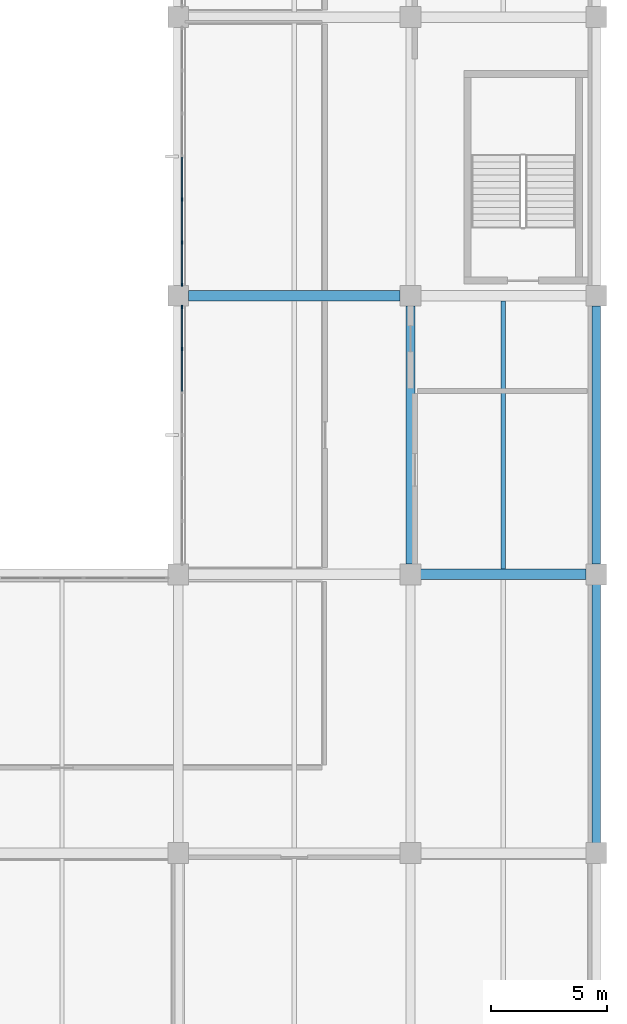
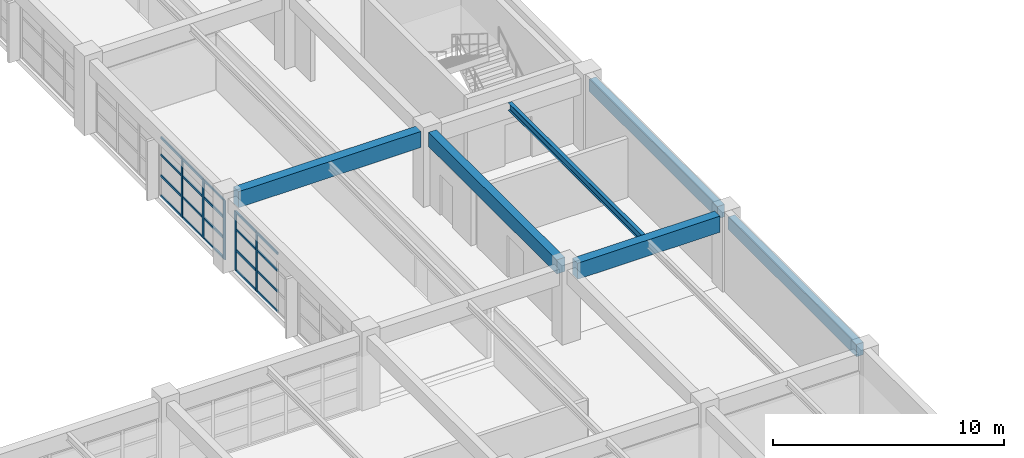
# One storey, part 55 of 100: 25 members, 6 beams, 2 elements without a shape of their own.
"""IFC4 building model written with IfcOpenShell, lengths in metres."""

from ifc_helpers import new_model, si_unit, direction, frame, origin, origin_2d, place, context, subcontext, project, spatial, rectangle, i_section, extrude, material, layer, layer_set, material_profile, profile_set, type_object, element, aggregate, save


model = new_model("IFC4")

# Units and contexts
model_context = context("Model", 3, precision=1e-05, world=origin(), true_north=direction((0.0, 1.0)))
body_context = subcontext(model_context, "Body", "Model", "MODEL_VIEW")
ifc_project = project(units=[si_unit("LENGTHUNIT", "METRE"), si_unit("AREAUNIT", "SQUARE_METRE"), si_unit("VOLUMEUNIT", "CUBIC_METRE"), si_unit("PLANEANGLEUNIT", "RADIAN"), si_unit("MASSUNIT", "GRAM", prefix="KILO")], contexts=[model_context])

# Site, building, storey
site_placement = place(None, origin())
site = spatial("IfcSite", under=ifc_project, at=site_placement, CompositionType="ELEMENT")
building_placement = place(site_placement, origin())
building = spatial("IfcBuilding", under=site, at=building_placement, Name="Kivolera Central Railway Station", CompositionType="ELEMENT")
storey_placement = place(building_placement, frame((0.0, 0.0, 5.39990234375)))
storey = spatial("IfcBuildingStorey", under=building, at=storey_placement, Name="L01", CompositionType="ELEMENT", Elevation=5.39990234375)

# Beams
ifc_material_1 = material(Name="Steel S355", Category="steel")
ifc_material_profile_1 = material_profile(ifc_material_1, i_section(OverallWidth=0.179931640625, OverallDepth=0.39990234375, WebThickness=0.008544921875, FlangeThickness=0.013427734375, FilletRadius=0.02099609375, at=origin_2d()), Name="IPE 400")
ifc_profile_set_1 = profile_set([ifc_material_profile_1], Name="Steel S355")
beam_type_1 = type_object("IfcBeamType", Name="BM-JST-IPE400", PredefinedType="JOIST", material=ifc_profile_set_1)
beam_1_placement = place(storey_placement, frame((192.0, 78.217041015625, 3.668212890625), z_axis=(0.0, 1.0, 0.0), x_axis=(-1.0, 0.0, 0.0)))
element("IfcBeam", 1, at=beam_1_placement, inside=storey, type_object=beam_type_1, Name="L01 Floor Joist 19-20/G-H", PredefinedType="JOIST", context=body_context, shape_type="SweptSolid", body=[
    extrude(i_section(OverallWidth=0.179931640625, OverallDepth=0.39990234375, WebThickness=0.008544921875, FlangeThickness=0.013427734375, FilletRadius=0.02099609375, at=origin_2d()), origin(), (0.0, 0.0, 1.0), 11.56591796875),
])
ifc_material_2 = material(Name="Concrete C40/50", Category="concrete")
ifc_material_profile_2 = material_profile(ifc_material_2, rectangle(XDim=0.39990234375, YDim=0.75, at=origin_2d()), Name="RC 400x750")
ifc_profile_set_2 = profile_set([ifc_material_profile_2], Name="Concrete C40/50")
beam_type_2 = type_object("IfcBeamType", Name="BM-RC-400x750", PredefinedType="BEAM", material=ifc_profile_set_2)
beam_2_placement = place(storey_placement, frame((188.0, 78.44189453125, 3.505126953125), z_axis=(0.0, 1.0, 0.0), x_axis=(-1.0, 0.0, 0.0)))
element("IfcBeam", 2, at=beam_2_placement, inside=storey, type_object=beam_type_2, Name="L01 Wing Y-Beam 19:G-H", PredefinedType="BEAM", context=body_context, shape_type="SweptSolid", body=[
    extrude(rectangle(XDim=0.39990234375, YDim=0.75, at=origin_2d()), origin(), (0.0, 0.0, 1.0), 11.1162109375),
])
ifc_material_profile_3 = material_profile(ifc_material_2, rectangle(XDim=0.449951171875, YDim=0.85009765625, at=origin_2d()), Name="RC 450x850")
ifc_profile_set_3 = profile_set([ifc_material_profile_3], Name="Concrete C40/50")
beam_type_3 = type_object("IfcBeamType", Name="BM-RC-450x850", PredefinedType="BEAM", material=ifc_profile_set_3)
beam_3_placement = place(storey_placement, frame((188.44189453125, 78.0, 3.455078125), z_axis=(1.0, 0.0, 0.0), x_axis=(0.0, 1.0, 0.0)))
element("IfcBeam", 3, at=beam_3_placement, inside=storey, type_object=beam_type_3, Name="L01 Wing X-Beam G:19-20", PredefinedType="BEAM", context=body_context, shape_type="SweptSolid", body=[
    extrude(rectangle(XDim=0.449951171875, YDim=0.85009765625, at=origin_2d()), origin(), (0.0, 0.0, 1.0), 7.1162109375),
])
beam_4_placement = place(storey_placement, frame((178.44189453125, 90.0, 3.455078125), z_axis=(1.0, 0.0, 0.0), x_axis=(0.0, 1.0, 0.0)))
element("IfcBeam", 4, at=beam_4_placement, inside=storey, type_object=beam_type_3, Name="L01 Wing X-Beam H:18-19", PredefinedType="BEAM", context=body_context, shape_type="SweptSolid", body=[
    extrude(rectangle(XDim=0.449951171875, YDim=0.85009765625, at=origin_2d()), origin(), (0.0, 0.0, 1.0), 9.1162109375),
])
ifc_material_profile_4 = material_profile(ifc_material_2, rectangle(XDim=0.35009765625, YDim=0.64990234375, at=origin_2d()), Name="RC 350x650")
ifc_profile_set_4 = profile_set([ifc_material_profile_4], Name="Concrete C40/50")
beam_type_4 = type_object("IfcBeamType", Name="BM-SPN-RC650", PredefinedType="SPANDREL", material=ifc_profile_set_4)
for number, where, z_axis, x_axis, name in (
    (5, (196.0, 66.44189453125, 3.55517578125), (0.0, 1.0, 0.0), (-1.0, 0.0, 0.0), "L01 Wing Y-Beam 20:F-G"),
    (6, (196.0, 78.44189453125, 3.55517578125), (0.0, 1.0, 0.0), (-1.0, 0.0, 0.0), "L01 Wing Y-Beam 20:G-H"),
):
    element("IfcBeam", number, at=place(storey_placement, frame(where, z_axis=z_axis, x_axis=x_axis)), inside=storey, type_object=beam_type_4, Name=name, PredefinedType="SPANDREL", context=body_context, shape_type="SweptSolid", body=[
        extrude(rectangle(XDim=0.35009765625, YDim=0.64990234375, at=origin_2d()), origin(), (0.0, 0.0, 1.0), 11.1162109375),
    ])

# Curtain wall, members
ifc_material_3 = material(Name="Anodised aluminium", Category="aluminium")
ifc_layer = layer(ifc_material_3, 0.179931640625, Name="Anodised aluminium")
ifc_layer_set = layer_set([ifc_layer], Name="Anodised aluminium")
curtain_wall_type = type_object("IfcCurtainWallType", Name="CW-SYS-25", PredefinedType="NOTDEFINED", material=ifc_layer_set)
curtain_wall_1_placement = place(storey_placement, origin())
curtain_wall_1 = element("IfcCurtainWall", 7, at=curtain_wall_1_placement, inside=storey, type_object=curtain_wall_type, Name="L01 Curtain Wall CW-L01-CRTE-G", PredefinedType="NOTDEFINED")
ifc_material_profile_5 = material_profile(ifc_material_3, rectangle(XDim=0.06005859375, YDim=0.14990234375, at=origin_2d()), Name="ALU MULL 60x150")
ifc_profile_set_5 = profile_set([ifc_material_profile_5], Name="Anodised aluminium")
member_type_1 = type_object("IfcMemberType", Name="CWM-MUL-2", PredefinedType="MULLION", material=ifc_profile_set_5)
member_1_placement = place(storey_placement, frame((178.159912109375, 87.703369140625, -0.0048828125), z_axis=(0.0, 0.0, 1.0), x_axis=(-1.0, 0.0, 0.0)))
member_1 = element("IfcMember", 8, at=member_1_placement, type_object=member_type_1, Name="CW-25 mullion 6", PredefinedType="MULLION", context=body_context, shape_type="SweptSolid", body=[
    extrude(rectangle(XDim=0.06005859375, YDim=0.14990234375, at=origin_2d()), origin(), (0.0, 0.0, 1.0), 3.123046875),
])
member_2_placement = place(storey_placement, frame((178.159912109375, 89.52490234375, -0.0048828125), z_axis=(0.0, 0.0, 1.0), x_axis=(-1.0, 0.0, 0.0)))
member_2 = element("IfcMember", 9, at=member_2_placement, type_object=member_type_1, Name="CW-25 mullion 7", PredefinedType="MULLION", context=body_context, shape_type="SweptSolid", body=[
    extrude(rectangle(XDim=0.06005859375, YDim=0.14990234375, at=origin_2d()), origin(), (0.0, 0.0, 1.0), 3.123046875),
])

curtain_wall_2_placement = place(storey_placement, origin())
curtain_wall_2 = element("IfcCurtainWall", 10, at=curtain_wall_2_placement, inside=storey, type_object=curtain_wall_type, Name="L01 Curtain Wall CW-L01-CRTE-H", PredefinedType="NOTDEFINED")
member_3_placement = place(storey_placement, frame((178.159912109375, 90.47509765625, -0.0048828125), z_axis=(0.0, 0.0, 1.0), x_axis=(-1.0, 0.0, 0.0)))
member_3 = element("IfcMember", 11, at=member_3_placement, type_object=member_type_1, Name="CW-25 mullion 1", PredefinedType="MULLION", context=body_context, shape_type="SweptSolid", body=[
    extrude(rectangle(XDim=0.06005859375, YDim=0.14990234375, at=origin_2d()), origin(), (0.0, 0.0, 1.0), 3.123046875),
])
member_4_placement = place(storey_placement, frame((178.159912109375, 92.296630859375, -0.0048828125), z_axis=(0.0, 0.0, 1.0), x_axis=(-1.0, 0.0, 0.0)))
member_4 = element("IfcMember", 12, at=member_4_placement, type_object=member_type_1, Name="CW-25 mullion 2", PredefinedType="MULLION", context=body_context, shape_type="SweptSolid", body=[
    extrude(rectangle(XDim=0.06005859375, YDim=0.14990234375, at=origin_2d()), origin(), (0.0, 0.0, 1.0), 3.123046875),
])
member_5_placement = place(storey_placement, frame((178.159912109375, 94.1484375, -0.0048828125), z_axis=(0.0, 0.0, 1.0), x_axis=(-1.0, 0.0, 0.0)))
member_5 = element("IfcMember", 13, at=member_5_placement, type_object=member_type_1, Name="CW-25 mullion 3", PredefinedType="MULLION", context=body_context, shape_type="SweptSolid", body=[
    extrude(rectangle(XDim=0.06005859375, YDim=0.14990234375, at=origin_2d()), origin(), (0.0, 0.0, 1.0), 3.123046875),
])

# Member
ifc_material_profile_6 = material_profile(ifc_material_3, rectangle(XDim=0.06005859375, YDim=0.1201171875, at=origin_2d()), Name="ALU TRAN 60x120")
ifc_profile_set_6 = profile_set([ifc_material_profile_6], Name="Anodised aluminium")
member_type_2 = type_object("IfcMemberType", Name="CWM-TRN-2", PredefinedType="USERDEFINED", material=ifc_profile_set_6)
member_6_placement = place(storey_placement, frame((178.159912109375, 85.881591796875, 0.030029296875), z_axis=(0.0, 1.0, 0.0), x_axis=(-1.0, 0.0, 0.0)))
member_6 = element("IfcMember", 14, at=member_6_placement, type_object=member_type_2, Name="CW-25 transom 5.1", ObjectType="TRANSOM", PredefinedType="USERDEFINED", context=body_context, shape_type="SweptSolid", body=[
    extrude(rectangle(XDim=0.06005859375, YDim=0.1201171875, at=origin_2d()), origin(), (0.0, 0.0, 1.0), 1.791748046875),
])

member_7_placement = place(storey_placement, frame((178.159912109375, 85.881591796875, 1.09130859375), z_axis=(0.0, 1.0, 0.0), x_axis=(-1.0, 0.0, 0.0)))
member_7 = element("IfcMember", 15, at=member_7_placement, type_object=member_type_2, Name="CW-25 transom 5.2", ObjectType="TRANSOM", PredefinedType="USERDEFINED", context=body_context, shape_type="SweptSolid", body=[
    extrude(rectangle(XDim=0.06005859375, YDim=0.1201171875, at=origin_2d()), origin(), (0.0, 0.0, 1.0), 1.791748046875),
])

member_8_placement = place(storey_placement, frame((178.159912109375, 85.881591796875, 2.1826171875), z_axis=(0.0, 1.0, 0.0), x_axis=(-1.0, 0.0, 0.0)))
member_8 = element("IfcMember", 16, at=member_8_placement, type_object=member_type_2, Name="CW-25 transom 5.3", ObjectType="TRANSOM", PredefinedType="USERDEFINED", context=body_context, shape_type="SweptSolid", body=[
    extrude(rectangle(XDim=0.06005859375, YDim=0.1201171875, at=origin_2d()), origin(), (0.0, 0.0, 1.0), 1.791748046875),
])

member_9_placement = place(storey_placement, frame((178.159912109375, 85.881591796875, 3.088134765625), z_axis=(0.0, 1.0, 0.0), x_axis=(-1.0, 0.0, 0.0)))
member_9 = element("IfcMember", 17, at=member_9_placement, type_object=member_type_2, Name="CW-25 transom 5.4", ObjectType="TRANSOM", PredefinedType="USERDEFINED", context=body_context, shape_type="SweptSolid", body=[
    extrude(rectangle(XDim=0.06005859375, YDim=0.1201171875, at=origin_2d()), origin(), (0.0, 0.0, 1.0), 1.791748046875),
])

member_10_placement = place(storey_placement, frame((178.159912109375, 87.7333984375, 0.030029296875), z_axis=(0.0, 1.0, 0.0), x_axis=(-1.0, 0.0, 0.0)))
member_10 = element("IfcMember", 18, at=member_10_placement, type_object=member_type_2, Name="CW-25 transom 6.1", ObjectType="TRANSOM", PredefinedType="USERDEFINED", context=body_context, shape_type="SweptSolid", body=[
    extrude(rectangle(XDim=0.06005859375, YDim=0.1201171875, at=origin_2d()), origin(), (0.0, 0.0, 1.0), 1.76171875),
])

member_11_placement = place(storey_placement, frame((178.159912109375, 87.7333984375, 1.09130859375), z_axis=(0.0, 1.0, 0.0), x_axis=(-1.0, 0.0, 0.0)))
member_11 = element("IfcMember", 19, at=member_11_placement, type_object=member_type_2, Name="CW-25 transom 6.2", ObjectType="TRANSOM", PredefinedType="USERDEFINED", context=body_context, shape_type="SweptSolid", body=[
    extrude(rectangle(XDim=0.06005859375, YDim=0.1201171875, at=origin_2d()), origin(), (0.0, 0.0, 1.0), 1.76171875),
])

member_12_placement = place(storey_placement, frame((178.159912109375, 87.7333984375, 2.1826171875), z_axis=(0.0, 1.0, 0.0), x_axis=(-1.0, 0.0, 0.0)))
member_12 = element("IfcMember", 20, at=member_12_placement, type_object=member_type_2, Name="CW-25 transom 6.3", ObjectType="TRANSOM", PredefinedType="USERDEFINED", context=body_context, shape_type="SweptSolid", body=[
    extrude(rectangle(XDim=0.06005859375, YDim=0.1201171875, at=origin_2d()), origin(), (0.0, 0.0, 1.0), 1.76171875),
])

member_13_placement = place(storey_placement, frame((178.159912109375, 87.7333984375, 3.088134765625), z_axis=(0.0, 1.0, 0.0), x_axis=(-1.0, 0.0, 0.0)))
member_13 = element("IfcMember", 21, at=member_13_placement, type_object=member_type_2, Name="CW-25 transom 6.4", ObjectType="TRANSOM", PredefinedType="USERDEFINED", context=body_context, shape_type="SweptSolid", body=[
    extrude(rectangle(XDim=0.06005859375, YDim=0.1201171875, at=origin_2d()), origin(), (0.0, 0.0, 1.0), 1.76171875),
])

aggregate(curtain_wall_1, [member_1, member_2, member_6, member_7, member_8, member_9, member_10, member_11, member_12, member_13])

member_14_placement = place(storey_placement, frame((178.159912109375, 90.5048828125, 0.030029296875), z_axis=(0.0, 1.0, 0.0), x_axis=(-1.0, 0.0, 0.0)))
member_14 = element("IfcMember", 22, at=member_14_placement, type_object=member_type_2, Name="CW-25 transom 1.1", ObjectType="TRANSOM", PredefinedType="USERDEFINED", context=body_context, shape_type="SweptSolid", body=[
    extrude(rectangle(XDim=0.06005859375, YDim=0.1201171875, at=origin_2d()), origin(), (0.0, 0.0, 1.0), 1.76171875),
])

member_15_placement = place(storey_placement, frame((178.159912109375, 90.5048828125, 1.09130859375), z_axis=(0.0, 1.0, 0.0), x_axis=(-1.0, 0.0, 0.0)))
member_15 = element("IfcMember", 23, at=member_15_placement, type_object=member_type_2, Name="CW-25 transom 1.2", ObjectType="TRANSOM", PredefinedType="USERDEFINED", context=body_context, shape_type="SweptSolid", body=[
    extrude(rectangle(XDim=0.06005859375, YDim=0.1201171875, at=origin_2d()), origin(), (0.0, 0.0, 1.0), 1.76171875),
])

member_16_placement = place(storey_placement, frame((178.159912109375, 90.5048828125, 2.1826171875), z_axis=(0.0, 1.0, 0.0), x_axis=(-1.0, 0.0, 0.0)))
member_16 = element("IfcMember", 24, at=member_16_placement, type_object=member_type_2, Name="CW-25 transom 1.3", ObjectType="TRANSOM", PredefinedType="USERDEFINED", context=body_context, shape_type="SweptSolid", body=[
    extrude(rectangle(XDim=0.06005859375, YDim=0.1201171875, at=origin_2d()), origin(), (0.0, 0.0, 1.0), 1.76171875),
])

member_17_placement = place(storey_placement, frame((178.159912109375, 90.5048828125, 3.088134765625), z_axis=(0.0, 1.0, 0.0), x_axis=(-1.0, 0.0, 0.0)))
member_17 = element("IfcMember", 25, at=member_17_placement, type_object=member_type_2, Name="CW-25 transom 1.4", ObjectType="TRANSOM", PredefinedType="USERDEFINED", context=body_context, shape_type="SweptSolid", body=[
    extrude(rectangle(XDim=0.06005859375, YDim=0.1201171875, at=origin_2d()), origin(), (0.0, 0.0, 1.0), 1.76171875),
])

member_18_placement = place(storey_placement, frame((178.159912109375, 92.32666015625, 0.030029296875), z_axis=(0.0, 1.0, 0.0), x_axis=(-1.0, 0.0, 0.0)))
member_18 = element("IfcMember", 26, at=member_18_placement, type_object=member_type_2, Name="CW-25 transom 2.1", ObjectType="TRANSOM", PredefinedType="USERDEFINED", context=body_context, shape_type="SweptSolid", body=[
    extrude(rectangle(XDim=0.06005859375, YDim=0.1201171875, at=origin_2d()), origin(), (0.0, 0.0, 1.0), 1.791748046875),
])

member_19_placement = place(storey_placement, frame((178.159912109375, 92.32666015625, 1.09130859375), z_axis=(0.0, 1.0, 0.0), x_axis=(-1.0, 0.0, 0.0)))
member_19 = element("IfcMember", 27, at=member_19_placement, type_object=member_type_2, Name="CW-25 transom 2.2", ObjectType="TRANSOM", PredefinedType="USERDEFINED", context=body_context, shape_type="SweptSolid", body=[
    extrude(rectangle(XDim=0.06005859375, YDim=0.1201171875, at=origin_2d()), origin(), (0.0, 0.0, 1.0), 1.791748046875),
])

member_20_placement = place(storey_placement, frame((178.159912109375, 92.32666015625, 2.1826171875), z_axis=(0.0, 1.0, 0.0), x_axis=(-1.0, 0.0, 0.0)))
member_20 = element("IfcMember", 28, at=member_20_placement, type_object=member_type_2, Name="CW-25 transom 2.3", ObjectType="TRANSOM", PredefinedType="USERDEFINED", context=body_context, shape_type="SweptSolid", body=[
    extrude(rectangle(XDim=0.06005859375, YDim=0.1201171875, at=origin_2d()), origin(), (0.0, 0.0, 1.0), 1.791748046875),
])

member_21_placement = place(storey_placement, frame((178.159912109375, 92.32666015625, 3.088134765625), z_axis=(0.0, 1.0, 0.0), x_axis=(-1.0, 0.0, 0.0)))
member_21 = element("IfcMember", 29, at=member_21_placement, type_object=member_type_2, Name="CW-25 transom 2.4", ObjectType="TRANSOM", PredefinedType="USERDEFINED", context=body_context, shape_type="SweptSolid", body=[
    extrude(rectangle(XDim=0.06005859375, YDim=0.1201171875, at=origin_2d()), origin(), (0.0, 0.0, 1.0), 1.791748046875),
])

member_22_placement = place(storey_placement, frame((178.159912109375, 94.17822265625, 0.030029296875), z_axis=(0.0, 1.0, 0.0), x_axis=(-1.0, 0.0, 0.0)))
member_22 = element("IfcMember", 30, at=member_22_placement, type_object=member_type_2, Name="CW-25 transom 3.1", ObjectType="TRANSOM", PredefinedType="USERDEFINED", context=body_context, shape_type="SweptSolid", body=[
    extrude(rectangle(XDim=0.06005859375, YDim=0.1201171875, at=origin_2d()), origin(), (0.0, 0.0, 1.0), 1.791748046875),
])

member_23_placement = place(storey_placement, frame((178.159912109375, 94.17822265625, 1.09130859375), z_axis=(0.0, 1.0, 0.0), x_axis=(-1.0, 0.0, 0.0)))
member_23 = element("IfcMember", 31, at=member_23_placement, type_object=member_type_2, Name="CW-25 transom 3.2", ObjectType="TRANSOM", PredefinedType="USERDEFINED", context=body_context, shape_type="SweptSolid", body=[
    extrude(rectangle(XDim=0.06005859375, YDim=0.1201171875, at=origin_2d()), origin(), (0.0, 0.0, 1.0), 1.791748046875),
])

member_24_placement = place(storey_placement, frame((178.159912109375, 94.17822265625, 2.1826171875), z_axis=(0.0, 1.0, 0.0), x_axis=(-1.0, 0.0, 0.0)))
member_24 = element("IfcMember", 32, at=member_24_placement, type_object=member_type_2, Name="CW-25 transom 3.3", ObjectType="TRANSOM", PredefinedType="USERDEFINED", context=body_context, shape_type="SweptSolid", body=[
    extrude(rectangle(XDim=0.06005859375, YDim=0.1201171875, at=origin_2d()), origin(), (0.0, 0.0, 1.0), 1.791748046875),
])

member_25_placement = place(storey_placement, frame((178.159912109375, 94.17822265625, 3.088134765625), z_axis=(0.0, 1.0, 0.0), x_axis=(-1.0, 0.0, 0.0)))
member_25 = element("IfcMember", 33, at=member_25_placement, type_object=member_type_2, Name="CW-25 transom 3.4", ObjectType="TRANSOM", PredefinedType="USERDEFINED", context=body_context, shape_type="SweptSolid", body=[
    extrude(rectangle(XDim=0.06005859375, YDim=0.1201171875, at=origin_2d()), origin(), (0.0, 0.0, 1.0), 1.791748046875),
])

aggregate(curtain_wall_2, [member_3, member_4, member_5, member_14, member_15, member_16, member_17, member_18, member_19, member_20, member_21, member_22, member_23, member_24, member_25])

save(model, "model.ifc")
